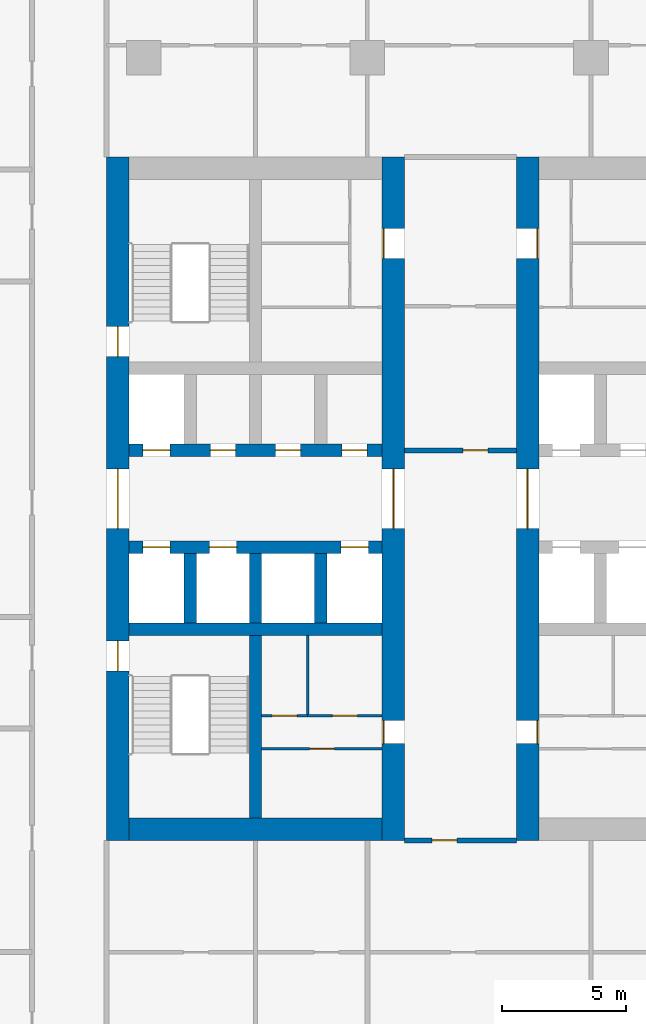
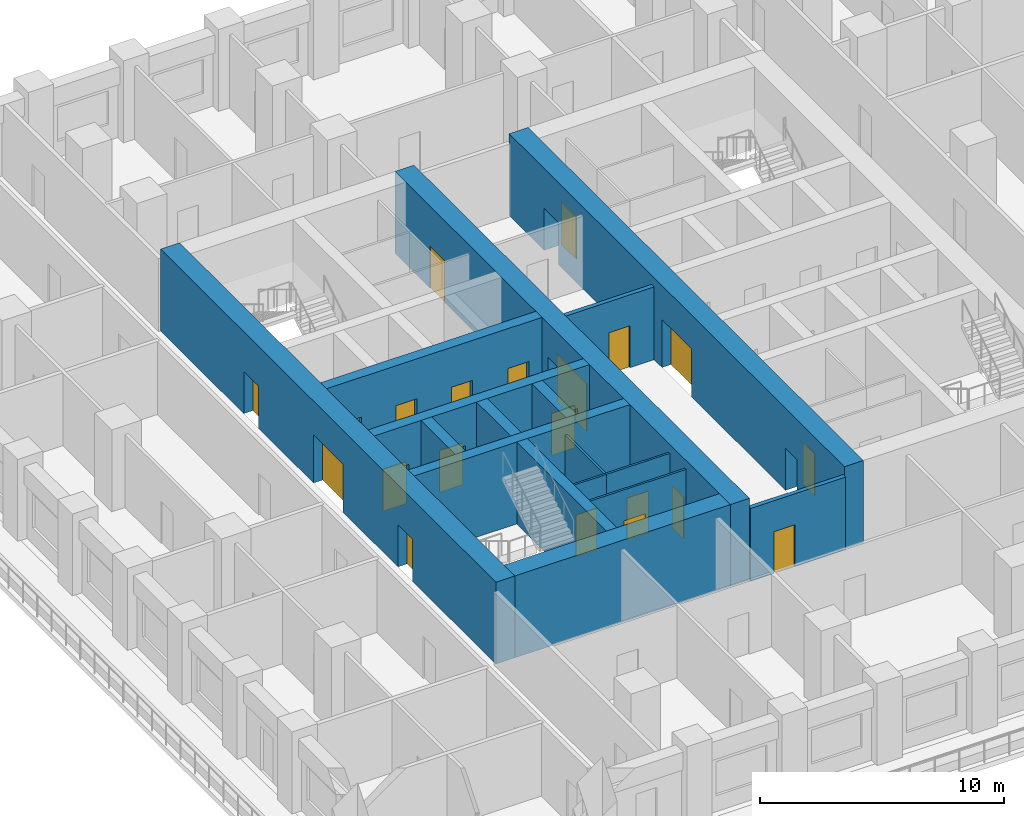
# One storey, part 4 of 18: 21 doors, 17 walls, 21 openings.
"""IFC4 building model written with IfcOpenShell, lengths in metres."""

from ifc_helpers import new_model, si_unit, direction, frame, frame_2d, origin, place, context, subcontext, project, spatial, rectangle, extrude, material, layer, layer_set, type_object, element, fill, save


model = new_model("IFC4")

# Units and contexts
model_context = context("Model", 3, precision=1e-05, world=origin(), true_north=direction((0.0, 1.0)))
body_context = subcontext(model_context, "Body", "Model", "MODEL_VIEW")
ifc_project = project(units=[si_unit("LENGTHUNIT", "METRE"), si_unit("AREAUNIT", "SQUARE_METRE"), si_unit("VOLUMEUNIT", "CUBIC_METRE"), si_unit("PLANEANGLEUNIT", "RADIAN"), si_unit("MASSUNIT", "GRAM", prefix="KILO")], contexts=[model_context])

# Site, building, storey
site_placement = place(None, origin())
site = spatial("IfcSite", under=ifc_project, at=site_placement, CompositionType="ELEMENT")
building_placement = place(site_placement, origin())
building = spatial("IfcBuilding", under=site, at=building_placement, Name="Corbel Stack Research Tower", CompositionType="ELEMENT")
storey_placement = place(building_placement, frame((0.0, 0.0, 102.5)))
storey = spatial("IfcBuildingStorey", under=building, at=storey_placement, Name="L23", CompositionType="ELEMENT", Elevation=102.5)

# Wall
ifc_material_1 = material(Name="Concrete C70/85", Category="concrete")
ifc_layer_1 = layer(ifc_material_1, 0.5)
ifc_layer_set_1 = layer_set([ifc_layer_1], Name="Concrete C70/85")
wall_type_1 = type_object("IfcWallType", Name="CW-500-70", PredefinedType="SHEAR", material=ifc_layer_set_1)
wall_1_placement = place(storey_placement, frame((-9.60009765625, -0.5, 0.0), z_axis=(0.0, 0.0, 1.0), x_axis=(1.0, 0.0, 0.0)))
element("IfcWall", 1, at=wall_1_placement, inside=storey, type_object=wall_type_1, Name="West core wall, south row back L23", PredefinedType="SHEAR", context=body_context, shape_type="SweptSolid", body=[
    extrude(rectangle(XDim=10.2001953125, YDim=0.5, at=frame_2d((5.10009765625, 0.0))), origin(), (0.0, 0.0, 1.0), 4.10009765625),
])

# Wall, openings, doors
wall_2_placement = place(storey_placement, frame((-9.60009765625, 2.800048828125, 0.0), z_axis=(0.0, 0.0, 1.0), x_axis=(1.0, 0.0, 0.0)))
wall_2 = element("IfcWall", 2, at=wall_2_placement, inside=storey, type_object=wall_type_1, Name="West core wall, lobby south L23", PredefinedType="SHEAR", context=body_context, shape_type="SweptSolid", body=[
    extrude(rectangle(XDim=10.2001953125, YDim=0.5, at=frame_2d((5.10009765625, 0.0))), origin(), (0.0, 0.0, 1.0), 4.10009765625),
])
opening_1_placement = place(wall_2_placement, frame((0.5625, 0.0, 0.0)))
opening_1 = element("IfcOpeningElement", 3, at=opening_1_placement, cuts=wall_2, Name="Opening LD-FS1", PredefinedType="OPENING", context=body_context, shape_type="SweptSolid", body=[
    extrude(rectangle(XDim=1.10009765625, YDim=2.10009765625, at=frame_2d((0.550048828125, 1.050048828125))), frame((0.0, 0.260009765625, 0.0), z_axis=(0.0, -1.0, 0.0), x_axis=(1.0, 0.0, 0.0)), (0.0, 0.0, 1.0), 0.52001953125),
])
opening_2_placement = place(wall_2_placement, frame((3.237548828125, 0.0, 0.0)))
opening_2 = element("IfcOpeningElement", 4, at=opening_2_placement, cuts=wall_2, Name="Opening LD-GL1", PredefinedType="OPENING", context=body_context, shape_type="SweptSolid", body=[
    extrude(rectangle(XDim=1.10009765625, YDim=2.10009765625, at=frame_2d((0.550048828125, 1.050048828125))), frame((0.0, 0.260009765625, 0.0), z_axis=(0.0, -1.0, 0.0), x_axis=(1.0, 0.0, 0.0)), (0.0, 0.0, 1.0), 0.52001953125),
])
opening_3_placement = place(wall_2_placement, frame((8.53759765625, 0.0, 0.0)))
opening_3 = element("IfcOpeningElement", 5, at=opening_3_placement, cuts=wall_2, Name="Opening LD-LR1", PredefinedType="OPENING", context=body_context, shape_type="SweptSolid", body=[
    extrude(rectangle(XDim=1.10009765625, YDim=2.10009765625, at=frame_2d((0.550048828125, 1.050048828125))), frame((0.0, 0.260009765625, 0.0), z_axis=(0.0, -1.0, 0.0), x_axis=(1.0, 0.0, 0.0)), (0.0, 0.0, 1.0), 0.52001953125),
])
ifc_material_2 = material(Name="Stainless steel landing door", Category="steel")
door_type_1 = type_object("IfcDoorType", Name="Lift landing door 1100 x 2100", OperationType="DOUBLE_DOOR_SLIDING", PredefinedType="DOOR", material=ifc_material_2)
door_1_placement = place(opening_1_placement, origin())
door_1 = element("IfcDoor", 6, at=door_1_placement, inside=storey, type_object=door_type_1, Name="Landing door FS1", OperationType="DOUBLE_DOOR_SLIDING", OverallHeight=2.10009765625, OverallWidth=1.10009765625, PredefinedType="DOOR", context=body_context, shape_type="SweptSolid", body=[
    extrude(rectangle(XDim=1.10009765625, YDim=2.10009765625, at=frame_2d((0.550048828125, 1.050048828125))), frame((0.0, 0.02490234375, 0.0), z_axis=(0.0, -1.0, 0.0), x_axis=(1.0, 0.0, 0.0)), (0.0, 0.0, 1.0), 0.050048828125),
])
fill(opening_1, door_1)
door_2_placement = place(opening_2_placement, origin())
door_2 = element("IfcDoor", 7, at=door_2_placement, inside=storey, type_object=door_type_1, Name="Landing door GL1", OperationType="DOUBLE_DOOR_SLIDING", OverallHeight=2.10009765625, OverallWidth=1.10009765625, PredefinedType="DOOR", context=body_context, shape_type="SweptSolid", body=[
    extrude(rectangle(XDim=1.10009765625, YDim=2.10009765625, at=frame_2d((0.550048828125, 1.050048828125))), frame((0.0, 0.02490234375, 0.0), z_axis=(0.0, -1.0, 0.0), x_axis=(1.0, 0.0, 0.0)), (0.0, 0.0, 1.0), 0.050048828125),
])
fill(opening_2, door_2)
door_3_placement = place(opening_3_placement, origin())
door_3 = element("IfcDoor", 8, at=door_3_placement, inside=storey, type_object=door_type_1, Name="Landing door LR1", OperationType="DOUBLE_DOOR_SLIDING", OverallHeight=2.10009765625, OverallWidth=1.10009765625, PredefinedType="DOOR", context=body_context, shape_type="SweptSolid", body=[
    extrude(rectangle(XDim=1.10009765625, YDim=2.10009765625, at=frame_2d((0.550048828125, 1.050048828125))), frame((0.0, 0.02490234375, 0.0), z_axis=(0.0, -1.0, 0.0), x_axis=(1.0, 0.0, 0.0)), (0.0, 0.0, 1.0), 0.050048828125),
])
fill(opening_3, door_3)

wall_3_placement = place(storey_placement, frame((-9.60009765625, 6.699951171875, 0.0), z_axis=(0.0, 0.0, 1.0), x_axis=(1.0, 0.0, 0.0)))
wall_3 = element("IfcWall", 9, at=wall_3_placement, inside=storey, type_object=wall_type_1, Name="West core wall, lobby north L23", PredefinedType="SHEAR", context=body_context, shape_type="SweptSolid", body=[
    extrude(rectangle(XDim=10.2001953125, YDim=0.5, at=frame_2d((5.10009765625, 0.0))), origin(), (0.0, 0.0, 1.0), 4.10009765625),
])
opening_4_placement = place(wall_3_placement, frame((0.5625, 0.0, 0.0)))
opening_4 = element("IfcOpeningElement", 10, at=opening_4_placement, cuts=wall_3, Name="Opening LD-LR2", PredefinedType="OPENING", context=body_context, shape_type="SweptSolid", body=[
    extrude(rectangle(XDim=1.10009765625, YDim=2.10009765625, at=frame_2d((0.550048828125, 1.050048828125))), frame((0.0, 0.260009765625, 0.0), z_axis=(0.0, -1.0, 0.0), x_axis=(1.0, 0.0, 0.0)), (0.0, 0.0, 1.0), 0.52001953125),
])
opening_5_placement = place(wall_3_placement, frame((3.28759765625, 0.0, 0.0)))
opening_5 = element("IfcOpeningElement", 11, at=opening_5_placement, cuts=wall_3, Name="Opening CR-W24-N2", PredefinedType="OPENING", context=body_context, shape_type="SweptSolid", body=[
    extrude(rectangle(XDim=1.0, YDim=2.10009765625, at=frame_2d((0.5, 1.050048828125))), frame((0.0, 0.260009765625, 0.0), z_axis=(0.0, -1.0, 0.0), x_axis=(1.0, 0.0, 0.0)), (0.0, 0.0, 1.0), 0.52001953125),
])
opening_6_placement = place(wall_3_placement, frame((5.91259765625, 0.0, 0.0)))
opening_6 = element("IfcOpeningElement", 12, at=opening_6_placement, cuts=wall_3, Name="Opening CR-W24-N3", PredefinedType="OPENING", context=body_context, shape_type="SweptSolid", body=[
    extrude(rectangle(XDim=1.0, YDim=2.10009765625, at=frame_2d((0.5, 1.050048828125))), frame((0.0, 0.260009765625, 0.0), z_axis=(0.0, -1.0, 0.0), x_axis=(1.0, 0.0, 0.0)), (0.0, 0.0, 1.0), 0.52001953125),
])
opening_7_placement = place(wall_3_placement, frame((8.58740234375, 0.0, 0.0)))
opening_7 = element("IfcOpeningElement", 13, at=opening_7_placement, cuts=wall_3, Name="Opening CR-W24-N4", PredefinedType="OPENING", context=body_context, shape_type="SweptSolid", body=[
    extrude(rectangle(XDim=1.0, YDim=2.10009765625, at=frame_2d((0.5, 1.050048828125))), frame((0.0, 0.260009765625, 0.0), z_axis=(0.0, -1.0, 0.0), x_axis=(1.0, 0.0, 0.0)), (0.0, 0.0, 1.0), 0.52001953125),
])
door_4_placement = place(opening_4_placement, origin())
door_4 = element("IfcDoor", 14, at=door_4_placement, inside=storey, type_object=door_type_1, Name="Landing door LR2", OperationType="DOUBLE_DOOR_SLIDING", OverallHeight=2.10009765625, OverallWidth=1.10009765625, PredefinedType="DOOR", context=body_context, shape_type="SweptSolid", body=[
    extrude(rectangle(XDim=1.10009765625, YDim=2.10009765625, at=frame_2d((0.550048828125, 1.050048828125))), frame((0.0, 0.02490234375, 0.0), z_axis=(0.0, -1.0, 0.0), x_axis=(1.0, 0.0, 0.0)), (0.0, 0.0, 1.0), 0.050048828125),
])
fill(opening_4, door_4)
ifc_material_3 = material(Name="Painted steel door", Category="steel")
door_type_2 = type_object("IfcDoorType", Name="Service door 1000 x 2100 FD60 left hand", OperationType="SINGLE_SWING_LEFT", PredefinedType="DOOR", material=ifc_material_3)
door_5_placement = place(opening_6_placement, origin())
door_5 = element("IfcDoor", 15, at=door_5_placement, inside=storey, type_object=door_type_2, Name="Laboratory consumables store door W core", OperationType="SINGLE_SWING_LEFT", OverallHeight=2.10009765625, OverallWidth=1.0, PredefinedType="DOOR", context=body_context, shape_type="SweptSolid", body=[
    extrude(rectangle(XDim=1.0, YDim=2.10009765625, at=frame_2d((0.5, 1.050048828125))), frame((0.0, 0.02490234375, 0.0), z_axis=(0.0, -1.0, 0.0), x_axis=(1.0, 0.0, 0.0)), (0.0, 0.0, 1.0), 0.050048828125),
])
fill(opening_6, door_5)
ifc_material_4 = material(Name="Painted steel door", Category="steel")
door_type_3 = type_object("IfcDoorType", Name="Service door 1000 x 2100 FD60 right hand", OperationType="SINGLE_SWING_RIGHT", PredefinedType="DOOR", material=ifc_material_4)
door_6_placement = place(opening_5_placement, origin())
door_6 = element("IfcDoor", 16, at=door_6_placement, inside=storey, type_object=door_type_3, Name="Staff WC door W core", OperationType="SINGLE_SWING_RIGHT", OverallHeight=2.10009765625, OverallWidth=1.0, PredefinedType="DOOR", context=body_context, shape_type="SweptSolid", body=[
    extrude(rectangle(XDim=1.0, YDim=2.10009765625, at=frame_2d((0.5, 1.050048828125))), frame((0.0, 0.02490234375, 0.0), z_axis=(0.0, -1.0, 0.0), x_axis=(1.0, 0.0, 0.0)), (0.0, 0.0, 1.0), 0.050048828125),
])
fill(opening_5, door_6)
door_7_placement = place(opening_7_placement, origin())
door_7 = element("IfcDoor", 17, at=door_7_placement, inside=storey, type_object=door_type_3, Name="Cleaner's store door W core", OperationType="SINGLE_SWING_RIGHT", OverallHeight=2.10009765625, OverallWidth=1.0, PredefinedType="DOOR", context=body_context, shape_type="SweptSolid", body=[
    extrude(rectangle(XDim=1.0, YDim=2.10009765625, at=frame_2d((0.5, 1.050048828125))), frame((0.0, 0.02490234375, 0.0), z_axis=(0.0, -1.0, 0.0), x_axis=(1.0, 0.0, 0.0)), (0.0, 0.0, 1.0), 0.050048828125),
])
fill(opening_7, door_7)

# Walls
for number, where, z_axis, x_axis, name in (
    (18, (-7.125, -0.25, 0.0), (0.0, 0.0, 1.0), (0.0, 1.0, 0.0), "West core wall, south shaft 1 L23"),
    (19, (-4.5, -0.25, 0.0), (0.0, 0.0, 1.0), (0.0, 1.0, 0.0), "West core wall, south shaft 2 L23"),
    (20, (-1.875, -0.25, 0.0), (0.0, 0.0, 1.0), (0.0, 1.0, 0.0), "West core wall, south shaft 3 L23"),
):
    element("IfcWall", number, at=place(storey_placement, frame(where, z_axis=z_axis, x_axis=x_axis)), inside=storey, type_object=wall_type_1, Name=name, PredefinedType="SHEAR", context=body_context, shape_type="SweptSolid", body=[
        extrude(rectangle(XDim=2.800048828125, YDim=0.5, at=frame_2d((1.39990234375, 0.0))), origin(), (0.0, 0.0, 1.0), 4.10009765625),
    ])
wall_4_placement = place(storey_placement, frame((-4.5, -8.10009765625, 0.0), z_axis=(0.0, 0.0, 1.0), x_axis=(0.0, 1.0, 0.0)))
element("IfcWall", 21, at=wall_4_placement, inside=storey, type_object=wall_type_1, Name="West core wall, south stair and WC L23", PredefinedType="SHEAR", context=body_context, shape_type="SweptSolid", body=[
    extrude(rectangle(XDim=7.35009765625, YDim=0.5, at=frame_2d((3.675048828125, 0.0))), origin(), (0.0, 0.0, 1.0), 4.10009765625),
])

# Wall, openings, doors
ifc_material_5 = material(Name="Concrete C70/85", Category="concrete")
ifc_layer_2 = layer(ifc_material_5, 0.89990234375)
ifc_layer_set_2 = layer_set([ifc_layer_2], Name="Concrete C70/85")
wall_type_2 = type_object("IfcWallType", Name="CW-900-70", PredefinedType="SHEAR", material=ifc_layer_set_2)
wall_5_placement = place(storey_placement, frame((-10.050048828125, -9.0, 0.0), z_axis=(0.0, 0.0, 1.0), x_axis=(0.0, 1.0, 0.0)))
wall_5 = element("IfcWall", 22, at=wall_5_placement, inside=storey, type_object=wall_type_2, Name="West core wall, west face L23", PredefinedType="SHEAR", context=body_context, shape_type="SweptSolid", body=[
    extrude(rectangle(XDim=27.5, YDim=0.89990234375, at=frame_2d((13.75, 0.0))), origin(), (0.0, 0.0, 1.0), 4.10009765625),
])
opening_8_placement = place(wall_5_placement, frame((12.550048828125, 0.0, 0.0)))
opening_8 = element("IfcOpeningElement", 23, at=opening_8_placement, cuts=wall_5, Name="Opening CD-W-W", PredefinedType="OPENING", context=body_context, shape_type="SweptSolid", body=[
    extrude(rectangle(XDim=2.39990234375, YDim=2.39990234375, at=frame_2d((1.199951171875, 1.199951171875))), frame((0.0, 0.4599609375, 0.0), z_axis=(0.0, -1.0, 0.0), x_axis=(1.0, 0.0, 0.0)), (0.0, 0.0, 1.0), 0.919921875),
])
opening_9_placement = place(wall_5_placement, frame((6.824951171875, 0.0, 0.0)))
opening_9 = element("IfcOpeningElement", 24, at=opening_9_placement, cuts=wall_5, Name="Opening SD-ST-W1", PredefinedType="OPENING", context=body_context, shape_type="SweptSolid", body=[
    extrude(rectangle(XDim=1.199951171875, YDim=2.10009765625, at=frame_2d((0.60009765625, 1.050048828125))), frame((0.0, 0.4599609375, 0.0), z_axis=(0.0, -1.0, 0.0), x_axis=(1.0, 0.0, 0.0)), (0.0, 0.0, 1.0), 0.919921875),
])
opening_10_placement = place(wall_5_placement, frame((19.47509765625, 0.0, 0.0)))
opening_10 = element("IfcOpeningElement", 25, at=opening_10_placement, cuts=wall_5, Name="Opening SD-ST-W2", PredefinedType="OPENING", context=body_context, shape_type="SweptSolid", body=[
    extrude(rectangle(XDim=1.199951171875, YDim=2.10009765625, at=frame_2d((0.60009765625, 1.050048828125))), frame((0.0, 0.4599609375, 0.0), z_axis=(0.0, -1.0, 0.0), x_axis=(1.0, 0.0, 0.0)), (0.0, 0.0, 1.0), 0.919921875),
])
ifc_material_6 = material(Name="Painted steel fire door", Category="steel")
door_type_4 = type_object("IfcDoorType", Name="Lobby door pair 2400 x 2400 FD30S", OperationType="DOUBLE_DOOR_DOUBLE_SWING", PredefinedType="DOOR", material=ifc_material_6)
door_8_placement = place(opening_8_placement, origin())
door_8 = element("IfcDoor", 26, at=door_8_placement, inside=storey, type_object=door_type_4, Name="Lift lobby door W core W", OperationType="DOUBLE_DOOR_DOUBLE_SWING", OverallHeight=2.39990234375, OverallWidth=2.39990234375, PredefinedType="DOOR", context=body_context, shape_type="SweptSolid", body=[
    extrude(rectangle(XDim=2.39990234375, YDim=2.39990234375, at=frame_2d((1.199951171875, 1.199951171875))), frame((0.0, 0.02490234375, 0.0), z_axis=(0.0, -1.0, 0.0), x_axis=(1.0, 0.0, 0.0)), (0.0, 0.0, 1.0), 0.050048828125),
])
fill(opening_8, door_8)
ifc_material_7 = material(Name="Painted steel fire door", Category="steel")
door_type_5 = type_object("IfcDoorType", Name="Stair door 1200 x 2100 FD90 left hand", OperationType="SINGLE_SWING_LEFT", PredefinedType="DOOR", material=ifc_material_7)
door_9_placement = place(opening_9_placement, origin())
door_9 = element("IfcDoor", 27, at=door_9_placement, inside=storey, type_object=door_type_5, Name="Stair door ST-W1", OperationType="SINGLE_SWING_LEFT", OverallHeight=2.10009765625, OverallWidth=1.199951171875, PredefinedType="DOOR", context=body_context, shape_type="SweptSolid", body=[
    extrude(rectangle(XDim=1.199951171875, YDim=2.10009765625, at=frame_2d((0.60009765625, 1.050048828125))), frame((0.0, 0.02490234375, 0.0), z_axis=(0.0, -1.0, 0.0), x_axis=(1.0, 0.0, 0.0)), (0.0, 0.0, 1.0), 0.050048828125),
])
fill(opening_9, door_9)
door_10_placement = place(opening_10_placement, origin())
door_10 = element("IfcDoor", 28, at=door_10_placement, inside=storey, type_object=door_type_5, Name="Stair door ST-W2", OperationType="SINGLE_SWING_LEFT", OverallHeight=2.10009765625, OverallWidth=1.199951171875, PredefinedType="DOOR", context=body_context, shape_type="SweptSolid", body=[
    extrude(rectangle(XDim=1.199951171875, YDim=2.10009765625, at=frame_2d((0.60009765625, 1.050048828125))), frame((0.0, 0.02490234375, 0.0), z_axis=(0.0, -1.0, 0.0), x_axis=(1.0, 0.0, 0.0)), (0.0, 0.0, 1.0), 0.050048828125),
])
fill(opening_10, door_10)

wall_6_placement = place(storey_placement, frame((1.050048828125, -9.0, 0.0), z_axis=(0.0, 0.0, 1.0), x_axis=(0.0, 1.0, 0.0)))
wall_6 = element("IfcWall", 29, at=wall_6_placement, inside=storey, type_object=wall_type_2, Name="West core wall, east face L23", PredefinedType="SHEAR", context=body_context, shape_type="SweptSolid", body=[
    extrude(rectangle(XDim=27.5, YDim=0.89990234375, at=frame_2d((13.75, 0.0))), origin(), (0.0, 0.0, 1.0), 4.10009765625),
])
opening_11_placement = place(wall_6_placement, frame((12.550048828125, 0.0, 0.0)))
opening_11 = element("IfcOpeningElement", 30, at=opening_11_placement, cuts=wall_6, Name="Opening CD-W-E", PredefinedType="OPENING", context=body_context, shape_type="SweptSolid", body=[
    extrude(rectangle(XDim=2.39990234375, YDim=2.39990234375, at=frame_2d((1.199951171875, 1.199951171875))), frame((0.0, 0.4599609375, 0.0), z_axis=(0.0, -1.0, 0.0), x_axis=(1.0, 0.0, 0.0)), (0.0, 0.0, 1.0), 0.919921875),
])
opening_12_placement = place(wall_6_placement, frame((3.89306640625, 0.0, 0.0)))
opening_12 = element("IfcOpeningElement", 31, at=opening_12_placement, cuts=wall_6, Name="Opening CR-W24-W1-923", PredefinedType="OPENING", context=body_context, shape_type="SweptSolid", body=[
    extrude(rectangle(XDim=0.923095703125, YDim=2.10009765625, at=frame_2d((0.46142578125, 1.050048828125))), frame((0.0, 0.4599609375, 0.0), z_axis=(0.0, -1.0, 0.0), x_axis=(1.0, 0.0, 0.0)), (0.0, 0.0, 1.0), 0.919921875),
])
opening_13_placement = place(wall_6_placement, frame((23.427490234375, 0.0, 0.0)))
opening_13 = element("IfcOpeningElement", 32, at=opening_13_placement, cuts=wall_6, Name="Opening CR-W24-R2-1200", PredefinedType="OPENING", context=body_context, shape_type="SweptSolid", body=[
    extrude(rectangle(XDim=1.199951171875, YDim=2.10009765625, at=frame_2d((0.60009765625, 1.050048828125))), frame((0.0, 0.4599609375, 0.0), z_axis=(0.0, -1.0, 0.0), x_axis=(1.0, 0.0, 0.0)), (0.0, 0.0, 1.0), 0.919921875),
])
door_11_placement = place(opening_11_placement, origin())
door_11 = element("IfcDoor", 33, at=door_11_placement, inside=storey, type_object=door_type_4, Name="Lift lobby door W core E", OperationType="DOUBLE_DOOR_DOUBLE_SWING", OverallHeight=2.39990234375, OverallWidth=2.39990234375, PredefinedType="DOOR", context=body_context, shape_type="SweptSolid", body=[
    extrude(rectangle(XDim=2.39990234375, YDim=2.39990234375, at=frame_2d((1.199951171875, 1.199951171875))), frame((0.0, 0.02490234375, 0.0), z_axis=(0.0, -1.0, 0.0), x_axis=(1.0, 0.0, 0.0)), (0.0, 0.0, 1.0), 0.050048828125),
])
fill(opening_11, door_11)
ifc_material_8 = material(Name="Painted steel door", Category="steel")
door_type_6 = type_object("IfcDoorType", Name="Service door 1200 x 2100 FD30 right hand", OperationType="SINGLE_SWING_RIGHT", PredefinedType="DOOR", material=ifc_material_8)
door_12_placement = place(opening_13_placement, origin())
door_12 = element("IfcDoor", 34, at=door_12_placement, inside=storey, type_object=door_type_6, Name="Service passage door W core", OperationType="SINGLE_SWING_RIGHT", OverallHeight=2.10009765625, OverallWidth=1.199951171875, PredefinedType="DOOR", context=body_context, shape_type="SweptSolid", body=[
    extrude(rectangle(XDim=1.199951171875, YDim=2.10009765625, at=frame_2d((0.60009765625, 1.050048828125))), frame((0.0, 0.4248046875, 0.0), z_axis=(0.0, -1.0, 0.0), x_axis=(1.0, 0.0, 0.0)), (0.0, 0.0, 1.0), 0.050048828125),
])
fill(opening_13, door_12)
ifc_material_9 = material(Name="Painted timber door", Category="wood")
door_type_7 = type_object("IfcDoorType", Name="WC door 923 x 2100 left hand", OperationType="SINGLE_SWING_LEFT", PredefinedType="DOOR", material=ifc_material_9)
door_13_placement = place(opening_12_placement, origin())
door_13 = element("IfcDoor", 35, at=door_13_placement, inside=storey, type_object=door_type_7, Name="WC lobby door W core", OperationType="SINGLE_SWING_LEFT", OverallHeight=2.10009765625, OverallWidth=0.923095703125, PredefinedType="DOOR", context=body_context, shape_type="SweptSolid", body=[
    extrude(rectangle(XDim=0.923095703125, YDim=2.10009765625, at=frame_2d((0.46142578125, 1.050048828125))), frame((0.0, 0.4248046875, 0.0), z_axis=(0.0, -1.0, 0.0), x_axis=(1.0, 0.0, 0.0)), (0.0, 0.0, 1.0), 0.050048828125),
])
fill(opening_12, door_13)

# Wall
wall_7_placement = place(storey_placement, frame((-9.60009765625, -8.550048828125, 0.0), z_axis=(0.0, 0.0, 1.0), x_axis=(1.0, 0.0, 0.0)))
element("IfcWall", 36, at=wall_7_placement, inside=storey, type_object=wall_type_2, Name="West core wall, south end L23", PredefinedType="SHEAR", context=body_context, shape_type="SweptSolid", body=[
    extrude(rectangle(XDim=10.2001953125, YDim=0.89990234375, at=frame_2d((5.10009765625, 0.0))), origin(), (0.0, 0.0, 1.0), 4.10009765625),
])

# Wall, openings, doors
wall_8_placement = place(storey_placement, frame((6.449951171875, -9.0, 0.0), z_axis=(0.0, 0.0, 1.0), x_axis=(0.0, 1.0, 0.0)))
wall_8 = element("IfcWall", 37, at=wall_8_placement, inside=storey, type_object=wall_type_2, Name="East core wall, west face L23", PredefinedType="SHEAR", context=body_context, shape_type="SweptSolid", body=[
    extrude(rectangle(XDim=27.5, YDim=0.89990234375, at=frame_2d((13.75, 0.0))), origin(), (0.0, 0.0, 1.0), 4.10009765625),
])
opening_14_placement = place(wall_8_placement, frame((12.550048828125, 0.0, 0.0)))
opening_14 = element("IfcOpeningElement", 38, at=opening_14_placement, cuts=wall_8, Name="Opening CD-E-W", PredefinedType="OPENING", context=body_context, shape_type="SweptSolid", body=[
    extrude(rectangle(XDim=2.39990234375, YDim=2.39990234375, at=frame_2d((1.199951171875, 1.199951171875))), frame((0.0, 0.4599609375, 0.0), z_axis=(0.0, -1.0, 0.0), x_axis=(1.0, 0.0, 0.0)), (0.0, 0.0, 1.0), 0.919921875),
])
opening_15_placement = place(wall_8_placement, frame((3.89306640625, 0.0, 0.0)))
opening_15 = element("IfcOpeningElement", 39, at=opening_15_placement, cuts=wall_8, Name="Opening CR-E24-W1-923", PredefinedType="OPENING", context=body_context, shape_type="SweptSolid", body=[
    extrude(rectangle(XDim=0.923095703125, YDim=2.10009765625, at=frame_2d((0.46142578125, 1.050048828125))), frame((0.0, 0.4599609375, 0.0), z_axis=(0.0, -1.0, 0.0), x_axis=(1.0, 0.0, 0.0)), (0.0, 0.0, 1.0), 0.919921875),
])
opening_16_placement = place(wall_8_placement, frame((23.427490234375, 0.0, 0.0)))
opening_16 = element("IfcOpeningElement", 40, at=opening_16_placement, cuts=wall_8, Name="Opening CR-E24-R2-1200", PredefinedType="OPENING", context=body_context, shape_type="SweptSolid", body=[
    extrude(rectangle(XDim=1.199951171875, YDim=2.10009765625, at=frame_2d((0.60009765625, 1.050048828125))), frame((0.0, 0.4599609375, 0.0), z_axis=(0.0, -1.0, 0.0), x_axis=(1.0, 0.0, 0.0)), (0.0, 0.0, 1.0), 0.919921875),
])
door_14_placement = place(opening_14_placement, origin())
door_14 = element("IfcDoor", 41, at=door_14_placement, inside=storey, type_object=door_type_4, Name="Lift lobby door E core W", OperationType="DOUBLE_DOOR_DOUBLE_SWING", OverallHeight=2.39990234375, OverallWidth=2.39990234375, PredefinedType="DOOR", context=body_context, shape_type="SweptSolid", body=[
    extrude(rectangle(XDim=2.39990234375, YDim=2.39990234375, at=frame_2d((1.199951171875, 1.199951171875))), frame((0.0, 0.02490234375, 0.0), z_axis=(0.0, -1.0, 0.0), x_axis=(1.0, 0.0, 0.0)), (0.0, 0.0, 1.0), 0.050048828125),
])
fill(opening_14, door_14)
ifc_material_10 = material(Name="Painted steel door", Category="steel")
door_type_8 = type_object("IfcDoorType", Name="Service door 1200 x 2100 FD30 left hand", OperationType="SINGLE_SWING_LEFT", PredefinedType="DOOR", material=ifc_material_10)
door_15_placement = place(opening_16_placement, origin())
door_15 = element("IfcDoor", 42, at=door_15_placement, inside=storey, type_object=door_type_8, Name="Service passage door E core", OperationType="SINGLE_SWING_LEFT", OverallHeight=2.10009765625, OverallWidth=1.199951171875, PredefinedType="DOOR", context=body_context, shape_type="SweptSolid", body=[
    extrude(rectangle(XDim=1.199951171875, YDim=2.10009765625, at=frame_2d((0.60009765625, 1.050048828125))), frame((0.0, -0.375, 0.0), z_axis=(0.0, -1.0, 0.0), x_axis=(1.0, 0.0, 0.0)), (0.0, 0.0, 1.0), 0.050048828125),
])
fill(opening_16, door_15)
ifc_material_11 = material(Name="Painted timber door", Category="wood")
door_type_9 = type_object("IfcDoorType", Name="WC door 923 x 2100 right hand", OperationType="SINGLE_SWING_RIGHT", PredefinedType="DOOR", material=ifc_material_11)
door_16_placement = place(opening_15_placement, origin())
door_16 = element("IfcDoor", 43, at=door_16_placement, inside=storey, type_object=door_type_9, Name="WC lobby door E core", OperationType="SINGLE_SWING_RIGHT", OverallHeight=2.10009765625, OverallWidth=0.923095703125, PredefinedType="DOOR", context=body_context, shape_type="SweptSolid", body=[
    extrude(rectangle(XDim=0.923095703125, YDim=2.10009765625, at=frame_2d((0.46142578125, 1.050048828125))), frame((0.0, -0.375, 0.0), z_axis=(0.0, -1.0, 0.0), x_axis=(1.0, 0.0, 0.0)), (0.0, 0.0, 1.0), 0.050048828125),
])
fill(opening_15, door_16)

# Wall, opening, door
ifc_material_12 = material(Name="Gypsum board")
ifc_layer_3 = layer(ifc_material_12, 0.10009765625)
ifc_layer_set_3 = layer_set([ifc_layer_3], Name="Gypsum board")
wall_type_3 = type_object("IfcWallType", Name="Core partition 100", PredefinedType="PARTITIONING", material=ifc_layer_set_3)
wall_9_placement = place(storey_placement, frame((-4.25, -5.306884765625, 0.0), z_axis=(0.0, 0.0, 1.0), x_axis=(1.0, 0.0, 0.0)))
wall_9 = element("IfcWall", 44, at=wall_9_placement, inside=storey, type_object=wall_type_3, Name="Core partition W", PredefinedType="PARTITIONING", context=body_context, shape_type="SweptSolid", body=[
    extrude(rectangle(XDim=4.85009765625, YDim=0.10009765625, at=frame_2d((2.425048828125, 0.0))), origin(), (0.0, 0.0, 1.0), 3.64990234375),
])
opening_17_placement = place(wall_9_placement, frame((1.925048828125, 0.0, 0.0)))
opening_17 = element("IfcOpeningElement", 45, at=opening_17_placement, cuts=wall_9, Name="Opening CR-W24-W2-1000", PredefinedType="OPENING", context=body_context, shape_type="SweptSolid", body=[
    extrude(rectangle(XDim=1.0, YDim=2.10009765625, at=frame_2d((0.5, 1.050048828125))), frame((0.0, 0.06005859375, 0.0), z_axis=(0.0, -1.0, 0.0), x_axis=(1.0, 0.0, 0.0)), (0.0, 0.0, 1.0), 0.1201171875),
])
ifc_material_13 = material(Name="Painted timber door", Category="wood")
door_type_10 = type_object("IfcDoorType", Name="WC door 1000 x 2100 right hand", OperationType="SINGLE_SWING_RIGHT", PredefinedType="DOOR", material=ifc_material_13)
door_17_placement = place(opening_17_placement, origin())
door_17 = element("IfcDoor", 46, at=door_17_placement, inside=storey, type_object=door_type_10, Name="Men's WC door W core", OperationType="SINGLE_SWING_RIGHT", OverallHeight=2.10009765625, OverallWidth=1.0, PredefinedType="DOOR", context=body_context, shape_type="SweptSolid", body=[
    extrude(rectangle(XDim=1.0, YDim=2.10009765625, at=frame_2d((0.5, 1.050048828125))), frame((0.0, 0.02490234375, 0.0), z_axis=(0.0, -1.0, 0.0), x_axis=(1.0, 0.0, 0.0)), (0.0, 0.0, 1.0), 0.050048828125),
])
fill(opening_17, door_17)

wall_10_placement = place(storey_placement, frame((-2.406982421875, -3.98388671875, 0.0), z_axis=(0.0, 0.0, 1.0), x_axis=(1.0, 0.0, 0.0)))
wall_10 = element("IfcWall", 47, at=wall_10_placement, inside=storey, type_object=wall_type_3, Name="Core partition W", PredefinedType="PARTITIONING", context=body_context, shape_type="SweptSolid", body=[
    extrude(rectangle(XDim=3.007080078125, YDim=0.10009765625, at=frame_2d((1.50341796875, 0.0))), origin(), (0.0, 0.0, 1.0), 3.64990234375),
])
opening_18_placement = place(wall_10_placement, frame((1.00341796875, 0.0, 0.0)))
opening_18 = element("IfcOpeningElement", 48, at=opening_18_placement, cuts=wall_10, Name="Opening CR-W24-W3-1000", PredefinedType="OPENING", context=body_context, shape_type="SweptSolid", body=[
    extrude(rectangle(XDim=1.0, YDim=2.10009765625, at=frame_2d((0.5, 1.050048828125))), frame((0.0, 0.06005859375, 0.0), z_axis=(0.0, -1.0, 0.0), x_axis=(1.0, 0.0, 0.0)), (0.0, 0.0, 1.0), 0.1201171875),
])
ifc_material_14 = material(Name="Painted timber door", Category="wood")
door_type_11 = type_object("IfcDoorType", Name="WC door 1000 x 2100 left hand", OperationType="SINGLE_SWING_LEFT", PredefinedType="DOOR", material=ifc_material_14)
door_18_placement = place(opening_18_placement, origin())
door_18 = element("IfcDoor", 49, at=door_18_placement, inside=storey, type_object=door_type_11, Name="Women's WC door W core", OperationType="SINGLE_SWING_LEFT", OverallHeight=2.10009765625, OverallWidth=1.0, PredefinedType="DOOR", context=body_context, shape_type="SweptSolid", body=[
    extrude(rectangle(XDim=1.0, YDim=2.10009765625, at=frame_2d((0.5, 1.050048828125))), frame((0.0, 0.02490234375, 0.0), z_axis=(0.0, -1.0, 0.0), x_axis=(1.0, 0.0, 0.0)), (0.0, 0.0, 1.0), 0.050048828125),
])
fill(opening_18, door_18)

wall_11_placement = place(storey_placement, frame((-4.25, -3.98388671875, 0.0), z_axis=(0.0, 0.0, 1.0), x_axis=(1.0, 0.0, 0.0)))
wall_11 = element("IfcWall", 50, at=wall_11_placement, inside=storey, type_object=wall_type_3, Name="Core partition W", PredefinedType="PARTITIONING", context=body_context, shape_type="SweptSolid", body=[
    extrude(rectangle(XDim=1.843017578125, YDim=0.10009765625, at=frame_2d((0.92138671875, 0.0))), origin(), (0.0, 0.0, 1.0), 3.64990234375),
])
opening_19_placement = place(wall_11_placement, frame((0.42138671875, 0.0, 0.0)))
opening_19 = element("IfcOpeningElement", 51, at=opening_19_placement, cuts=wall_11, Name="Opening CR-W24-W4-1000", PredefinedType="OPENING", context=body_context, shape_type="SweptSolid", body=[
    extrude(rectangle(XDim=1.0, YDim=2.10009765625, at=frame_2d((0.5, 1.050048828125))), frame((0.0, 0.06005859375, 0.0), z_axis=(0.0, -1.0, 0.0), x_axis=(1.0, 0.0, 0.0)), (0.0, 0.0, 1.0), 0.1201171875),
])
door_19_placement = place(opening_19_placement, origin())
door_19 = element("IfcDoor", 52, at=door_19_placement, inside=storey, type_object=door_type_10, Name="Accessible WC door W core", OperationType="SINGLE_SWING_RIGHT", OverallHeight=2.10009765625, OverallWidth=1.0, PredefinedType="DOOR", context=body_context, shape_type="SweptSolid", body=[
    extrude(rectangle(XDim=1.0, YDim=2.10009765625, at=frame_2d((0.5, 1.050048828125))), frame((0.0, 0.02490234375, 0.0), z_axis=(0.0, -1.0, 0.0), x_axis=(1.0, 0.0, 0.0)), (0.0, 0.0, 1.0), 0.050048828125),
])
fill(opening_19, door_19)

# Wall
wall_12_placement = place(storey_placement, frame((-2.406982421875, -3.98388671875, 0.0), z_axis=(0.0, 0.0, 1.0), x_axis=(0.0, 1.0, 0.0)))
element("IfcWall", 53, at=wall_12_placement, inside=storey, type_object=wall_type_3, Name="Core partition W", PredefinedType="PARTITIONING", context=body_context, shape_type="SweptSolid", body=[
    extrude(rectangle(XDim=3.23388671875, YDim=0.10009765625, at=frame_2d((1.616943359375, 0.0))), origin(), (0.0, 0.0, 1.0), 3.64990234375),
])

# Wall, opening, door
ifc_material_15 = material(Name="Fire-rated gypsum board partition on steel studs", Category="steel")
ifc_layer_4 = layer(ifc_material_15, 0.199951171875)
ifc_layer_set_4 = layer_set([ifc_layer_4], Name="Fire-rated gypsum board partition on steel studs")
wall_type_4 = type_object("IfcWallType", Name="Fire-rated partition 200 EI 60", PredefinedType="PARTITIONING", material=ifc_layer_set_4)
wall_13_placement = place(storey_placement, frame((6.0, -9.0, 0.0), z_axis=(0.0, 0.0, 1.0), x_axis=(-1.0, 0.0, 0.0)))
wall_13 = element("IfcWall", 54, at=wall_13_placement, inside=storey, type_object=wall_type_4, Name="Partition L23-037", PredefinedType="PARTITIONING", context=body_context, shape_type="SweptSolid", body=[
    extrude(rectangle(XDim=4.5, YDim=0.199951171875, at=frame_2d((2.25, 0.0))), origin(), (0.0, 0.0, 1.0), 3.64990234375),
])
opening_20_placement = place(wall_13_placement, frame((2.39990234375, 0.0, 0.0)))
opening_20 = element("IfcOpeningElement", 55, at=opening_20_placement, cuts=wall_13, Name="Opening B3V2-024", PredefinedType="OPENING", context=body_context, shape_type="SweptSolid", body=[
    extrude(rectangle(XDim=1.0, YDim=2.10009765625, at=frame_2d((0.5, 1.050048828125))), frame((0.0, 0.10986328125, 0.0), z_axis=(0.0, -1.0, 0.0), x_axis=(1.0, 0.0, 0.0)), (0.0, 0.0, 1.0), 0.219970703125),
])
ifc_material_16 = material(Name="Painted steel fire door", Category="steel")
door_type_12 = type_object("IfcDoorType", Name="Fire door FD30S 1000 x 2100", OperationType="NOTDEFINED", PredefinedType="DOOR", material=ifc_material_16)
door_20_placement = place(opening_20_placement, origin())
door_20 = element("IfcDoor", 56, at=door_20_placement, inside=storey, type_object=door_type_12, Name="Door B3V2-024", OperationType="SINGLE_SWING_RIGHT", OverallHeight=2.10009765625, OverallWidth=1.0, PredefinedType="DOOR", context=body_context, shape_type="SweptSolid", body=[
    extrude(rectangle(XDim=1.0, YDim=2.10009765625, at=frame_2d((0.5, 1.050048828125))), frame((0.0, 0.02490234375, 0.0), z_axis=(0.0, -1.0, 0.0), x_axis=(1.0, 0.0, 0.0)), (0.0, 0.0, 1.0), 0.050048828125),
])
fill(opening_20, door_20)

wall_14_placement = place(storey_placement, frame((1.5, 6.699951171875, 0.0), z_axis=(0.0, 0.0, 1.0), x_axis=(1.0, 0.0, 0.0)))
wall_14 = element("IfcWall", 57, at=wall_14_placement, inside=storey, type_object=wall_type_4, Name="Partition L23-045", PredefinedType="PARTITIONING", context=body_context, shape_type="SweptSolid", body=[
    extrude(rectangle(XDim=4.5, YDim=0.199951171875, at=frame_2d((2.25, 0.0))), origin(), (0.0, 0.0, 1.0), 3.64990234375),
])
opening_21_placement = place(wall_14_placement, frame((2.35009765625, 0.0, 0.0)))
opening_21 = element("IfcOpeningElement", 58, at=opening_21_placement, cuts=wall_14, Name="Opening B3V2-028", PredefinedType="OPENING", context=body_context, shape_type="SweptSolid", body=[
    extrude(rectangle(XDim=1.0, YDim=2.10009765625, at=frame_2d((0.5, 1.050048828125))), frame((0.0, 0.10986328125, 0.0), z_axis=(0.0, -1.0, 0.0), x_axis=(1.0, 0.0, 0.0)), (0.0, 0.0, 1.0), 0.219970703125),
])
door_21_placement = place(opening_21_placement, origin())
door_21 = element("IfcDoor", 59, at=door_21_placement, inside=storey, type_object=door_type_12, Name="Door B3V2-028", OperationType="SINGLE_SWING_RIGHT", OverallHeight=2.10009765625, OverallWidth=1.0, PredefinedType="DOOR", context=body_context, shape_type="SweptSolid", body=[
    extrude(rectangle(XDim=1.0, YDim=2.10009765625, at=frame_2d((0.5, 1.050048828125))), frame((0.0, 0.02490234375, 0.0), z_axis=(0.0, -1.0, 0.0), x_axis=(1.0, 0.0, 0.0)), (0.0, 0.0, 1.0), 0.050048828125),
])
fill(opening_21, door_21)

save(model, "model.ifc")
